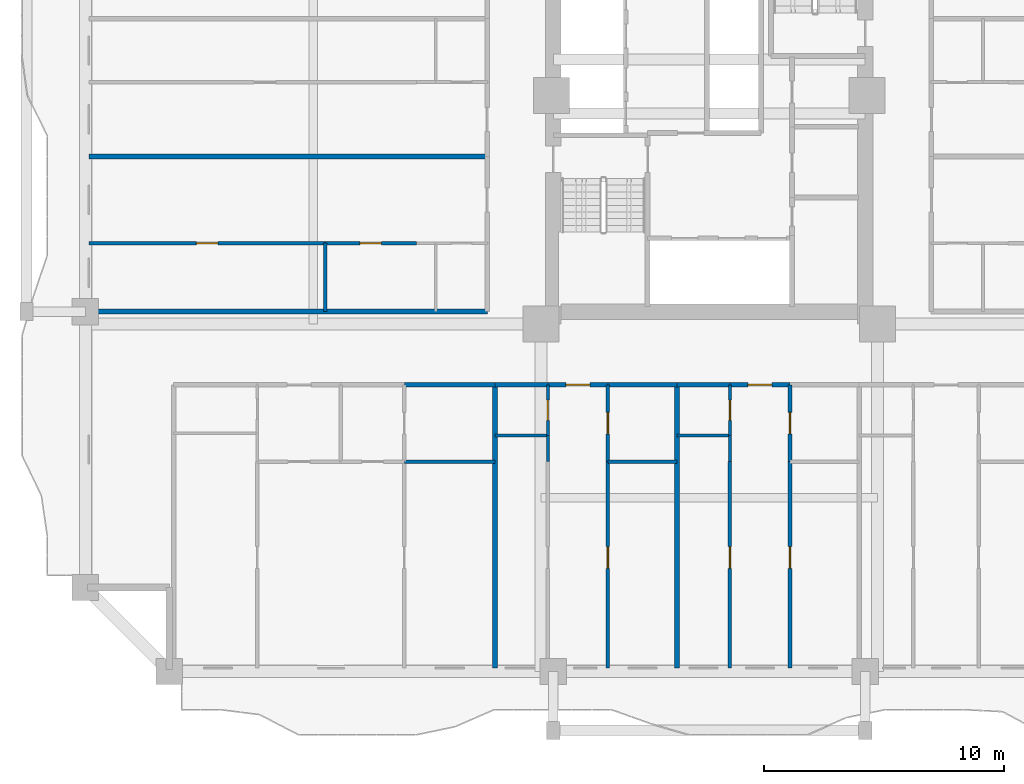
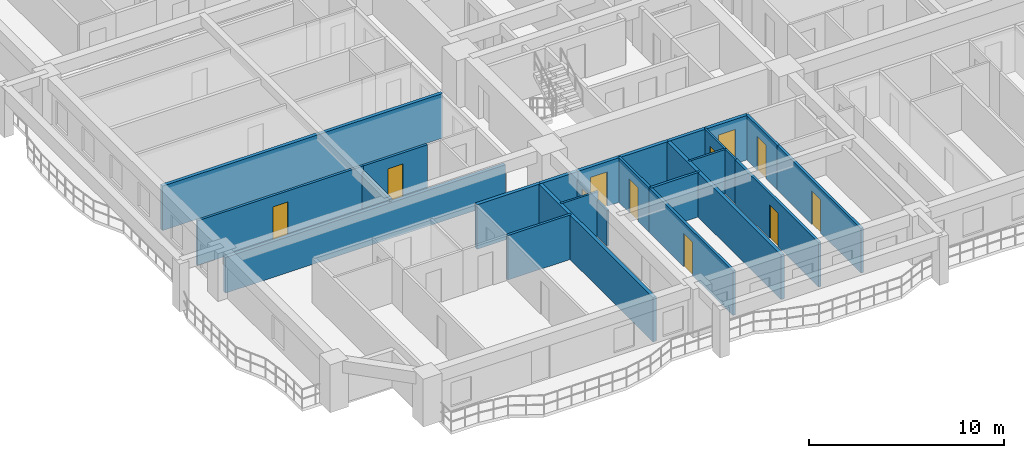
# One storey, part 3 of 16: 26 walls, 11 doors, 11 openings.
"""IFC4 building model written with IfcOpenShell, lengths in metres."""

from ifc_helpers import new_model, si_unit, direction, frame, frame_2d, origin, place, context, subcontext, project, spatial, rectangle, extrude, source, transform, mapped, material, layer, layer_set, type_object, element, fill, save


model = new_model("IFC4")

# Units and contexts
model_context = context("Model", 3, precision=1e-05, world=origin(), true_north=direction((0.0, 1.0)))
body_context = subcontext(model_context, "Body", "Model", "MODEL_VIEW")
ifc_project = project(units=[si_unit("LENGTHUNIT", "METRE"), si_unit("AREAUNIT", "SQUARE_METRE"), si_unit("VOLUMEUNIT", "CUBIC_METRE"), si_unit("PLANEANGLEUNIT", "RADIAN"), si_unit("MASSUNIT", "GRAM", prefix="KILO")], contexts=[model_context])

# Site, building, storey
site_placement = place(None, origin())
site = spatial("IfcSite", under=ifc_project, at=site_placement, CompositionType="ELEMENT")
building_placement = place(site_placement, origin())
building = spatial("IfcBuilding", under=site, at=building_placement, Name="Saelheon Loggia Tower", CompositionType="ELEMENT")
storey_placement = place(building_placement, frame((0.0, 0.0, 58.39990234375)))
storey = spatial("IfcBuildingStorey", under=building, at=storey_placement, Name="L18", CompositionType="ELEMENT", Elevation=58.39990234375)

# Walls
ifc_material_1 = material(Name="Lightweight Autoclaved Aerated Concrete Block and Acoustic Gypsum", Category="concrete")
ifc_layer_1 = layer(ifc_material_1, 0.14990234375)
ifc_layer_set_1 = layer_set([ifc_layer_1], Name="Lightweight Autoclaved Aerated Concrete Block and Acoustic Gypsum")
wall_type_1 = type_object("IfcWallType", Name="Wall_Part_150", PredefinedType="PARTITIONING", material=ifc_layer_set_1)
wall_1_placement = place(storey_placement, frame((25.29296875, 11.75, 0.0), z_axis=(0.0, 0.0, 1.0), x_axis=(1.0, 0.0, 0.0)))
element("IfcWall", 1, at=wall_1_placement, inside=storey, type_object=wall_type_1, Name="L18 S Partition V11", PredefinedType="PARTITIONING", context=body_context, shape_type="SweptSolid", body=[
    extrude(rectangle(XDim=3.779052734375, YDim=0.14990234375, at=frame_2d((1.8896484375, 0.0))), origin(), (0.0, 0.0, 1.0), 2.7900390625),
])
wall_2_placement = place(storey_placement, frame((33.777099609375, 11.75, 0.0), z_axis=(0.0, 0.0, 1.0), x_axis=(1.0, 0.0, 0.0)))
element("IfcWall", 2, at=wall_2_placement, inside=storey, type_object=wall_type_1, Name="L18 S Partition V22", PredefinedType="PARTITIONING", context=body_context, shape_type="SweptSolid", body=[
    extrude(rectangle(XDim=2.8837890625, YDim=0.14990234375, at=frame_2d((1.44189453125, 0.0))), origin(), (0.0, 0.0, 1.0), 2.7900390625),
])

# Wall, opening, door
wall_3_placement = place(storey_placement, frame((33.777099609375, 14.949951171875, 0.0), z_axis=(0.0, 0.0, 1.0), x_axis=(0.0, -1.0, 0.0)))
wall_3 = element("IfcWall", 3, at=wall_3_placement, inside=storey, type_object=wall_type_1, Name="L18 S Partition U26", PredefinedType="PARTITIONING", context=body_context, shape_type="SweptSolid", body=[
    extrude(rectangle(XDim=3.199951171875, YDim=0.14990234375, at=frame_2d((1.60009765625, 0.0))), origin(), (0.0, 0.0, 1.0), 2.7900390625),
])
opening_1_placement = place(wall_3_placement, frame((1.14990234375, 0.0, 0.0)))
opening_1 = element("IfcOpeningElement", 4, at=opening_1_placement, cuts=wall_3, Name="Opening D-IN2", PredefinedType="OPENING", context=body_context, shape_type="SweptSolid", body=[
    extrude(rectangle(XDim=0.89990234375, YDim=2.10009765625, at=frame_2d((0.449951171875, 1.050048828125))), frame((0.0, 0.0869140625, 0.0), z_axis=(0.0, -1.0, 0.0), x_axis=(1.0, 0.0, 0.0)), (0.0, 0.0, 1.0), 0.173828125),
])
ifc_material_2 = material(Name="Engineered Oak Flush Door", Category="timber")
door_type_1 = type_object("IfcDoorType", Name="Door_Int_900", OperationType="NOTDEFINED", PredefinedType="DOOR", material=ifc_material_2)
shared_shape_1 = source(origin(), body_context, "Body", "SweptSolid", [
    extrude(rectangle(XDim=0.89990234375, YDim=2.10009765625, at=frame_2d((0.449951171875, 1.050048828125))), frame((0.0, 0.02490234375, 0.0), z_axis=(0.0, -1.0, 0.0), x_axis=(1.0, 0.0, 0.0)), (0.0, 0.0, 1.0), 0.050048828125),
])
door_1_placement = place(opening_1_placement, origin())
door_1 = element("IfcDoor", 5, at=door_1_placement, inside=storey, type_object=door_type_1, Name="Unit U02 Dressing Closet Door", OperationType="SINGLE_SWING_RIGHT", OverallHeight=2.10009765625, OverallWidth=0.89990234375, PredefinedType="DOOR", context=body_context, shape_type="MappedRepresentation", body=[
    mapped(shared_shape_1, transform((0.0, 0.0, 0.0), scale=1.0)),
])
fill(opening_1, door_1)

wall_4_placement = place(storey_placement, frame((33.777099609375, 11.75, 0.0), z_axis=(0.0, 0.0, 1.0), x_axis=(0.0, -1.0, 0.0)))
wall_4 = element("IfcWall", 6, at=wall_4_placement, inside=storey, type_object=wall_type_1, Name="L18 S Partition U27", PredefinedType="PARTITIONING", context=body_context, shape_type="SweptSolid", body=[
    extrude(rectangle(XDim=8.60009765625, YDim=0.14990234375, at=frame_2d((4.300048828125, 0.0))), origin(), (0.0, 0.0, 1.0), 2.7900390625),
])
opening_2_placement = place(wall_4_placement, frame((3.54931640625, 0.0, 0.0)))
opening_2 = element("IfcOpeningElement", 7, at=opening_2_placement, cuts=wall_4, Name="Opening D-IN2", PredefinedType="OPENING", context=body_context, shape_type="SweptSolid", body=[
    extrude(rectangle(XDim=0.89990234375, YDim=2.10009765625, at=frame_2d((0.449951171875, 1.050048828125))), frame((0.0, 0.0869140625, 0.0), z_axis=(0.0, -1.0, 0.0), x_axis=(1.0, 0.0, 0.0)), (0.0, 0.0, 1.0), 0.173828125),
])
door_2_placement = place(opening_2_placement, origin())
door_2 = element("IfcDoor", 8, at=door_2_placement, inside=storey, type_object=door_type_1, Name="Unit U02 Bedroom 1 Door", OperationType="SINGLE_SWING_LEFT", OverallHeight=2.10009765625, OverallWidth=0.89990234375, PredefinedType="DOOR", context=body_context, shape_type="MappedRepresentation", body=[
    mapped(shared_shape_1, transform((0.0, 0.0, 0.0), scale=1.0)),
])
fill(opening_2, door_2)

wall_5_placement = place(storey_placement, frame((38.86083984375, 11.75, 0.0), z_axis=(0.0, 0.0, 1.0), x_axis=(0.0, -1.0, 0.0)))
wall_5 = element("IfcWall", 9, at=wall_5_placement, inside=storey, type_object=wall_type_1, Name="L18 S Partition U36", PredefinedType="PARTITIONING", context=body_context, shape_type="SweptSolid", body=[
    extrude(rectangle(XDim=8.60009765625, YDim=0.14990234375, at=frame_2d((4.300048828125, 0.0))), origin(), (0.0, 0.0, 1.0), 2.7900390625),
])
opening_3_placement = place(wall_5_placement, frame((3.54931640625, 0.0, 0.0)))
opening_3 = element("IfcOpeningElement", 10, at=opening_3_placement, cuts=wall_5, Name="Opening D-IN2", PredefinedType="OPENING", context=body_context, shape_type="SweptSolid", body=[
    extrude(rectangle(XDim=0.89990234375, YDim=2.10009765625, at=frame_2d((0.449951171875, 1.050048828125))), frame((0.0, 0.0869140625, 0.0), z_axis=(0.0, -1.0, 0.0), x_axis=(1.0, 0.0, 0.0)), (0.0, 0.0, 1.0), 0.173828125),
])
door_3_placement = place(opening_3_placement, origin())
door_3 = element("IfcDoor", 11, at=door_3_placement, inside=storey, type_object=door_type_1, Name="Unit U03 Kitchen Door", OperationType="SINGLE_SWING_RIGHT", OverallHeight=2.10009765625, OverallWidth=0.89990234375, PredefinedType="DOOR", context=body_context, shape_type="MappedRepresentation", body=[
    mapped(shared_shape_1, transform((0.0, 0.0, 0.0), scale=1.0)),
])
fill(opening_3, door_3)

wall_6_placement = place(storey_placement, frame((41.365966796875, 14.949951171875, 0.0), z_axis=(0.0, 0.0, 1.0), x_axis=(0.0, -1.0, 0.0)))
wall_6 = element("IfcWall", 12, at=wall_6_placement, inside=storey, type_object=wall_type_1, Name="L18 S Partition U37", PredefinedType="PARTITIONING", context=body_context, shape_type="SweptSolid", body=[
    extrude(rectangle(XDim=3.199951171875, YDim=0.14990234375, at=frame_2d((1.60009765625, 0.0))), origin(), (0.0, 0.0, 1.0), 2.7900390625),
])
opening_4_placement = place(wall_6_placement, frame((1.14990234375, 0.0, 0.0)))
opening_4 = element("IfcOpeningElement", 13, at=opening_4_placement, cuts=wall_6, Name="Opening D-IN2", PredefinedType="OPENING", context=body_context, shape_type="SweptSolid", body=[
    extrude(rectangle(XDim=0.89990234375, YDim=2.10009765625, at=frame_2d((0.449951171875, 1.050048828125))), frame((0.0, 0.0869140625, 0.0), z_axis=(0.0, -1.0, 0.0), x_axis=(1.0, 0.0, 0.0)), (0.0, 0.0, 1.0), 0.173828125),
])
door_4_placement = place(opening_4_placement, origin())
door_4 = element("IfcDoor", 14, at=door_4_placement, inside=storey, type_object=door_type_1, Name="Unit U03 Dressing Closet Door", OperationType="SINGLE_SWING_LEFT", OverallHeight=2.10009765625, OverallWidth=0.89990234375, PredefinedType="DOOR", context=body_context, shape_type="MappedRepresentation", body=[
    mapped(shared_shape_1, transform((0.0, 0.0, 0.0), scale=1.0)),
])
fill(opening_4, door_4)

wall_7_placement = place(storey_placement, frame((41.365966796875, 11.75, 0.0), z_axis=(0.0, 0.0, 1.0), x_axis=(0.0, -1.0, 0.0)))
wall_7 = element("IfcWall", 15, at=wall_7_placement, inside=storey, type_object=wall_type_1, Name="L18 S Partition U38", PredefinedType="PARTITIONING", context=body_context, shape_type="SweptSolid", body=[
    extrude(rectangle(XDim=8.60009765625, YDim=0.14990234375, at=frame_2d((4.300048828125, 0.0))), origin(), (0.0, 0.0, 1.0), 2.7900390625),
])
opening_5_placement = place(wall_7_placement, frame((3.54931640625, 0.0, 0.0)))
opening_5 = element("IfcOpeningElement", 16, at=opening_5_placement, cuts=wall_7, Name="Opening D-IN2", PredefinedType="OPENING", context=body_context, shape_type="SweptSolid", body=[
    extrude(rectangle(XDim=0.89990234375, YDim=2.10009765625, at=frame_2d((0.449951171875, 1.050048828125))), frame((0.0, 0.0869140625, 0.0), z_axis=(0.0, -1.0, 0.0), x_axis=(1.0, 0.0, 0.0)), (0.0, 0.0, 1.0), 0.173828125),
])
door_5_placement = place(opening_5_placement, origin())
door_5 = element("IfcDoor", 17, at=door_5_placement, inside=storey, type_object=door_type_1, Name="Unit U03 Bedroom 1 Door", OperationType="SINGLE_SWING_RIGHT", OverallHeight=2.10009765625, OverallWidth=0.89990234375, PredefinedType="DOOR", context=body_context, shape_type="MappedRepresentation", body=[
    mapped(shared_shape_1, transform((0.0, 0.0, 0.0), scale=1.0)),
])
fill(opening_5, door_5)

# Wall
wall_8_placement = place(storey_placement, frame((21.989990234375, 18.0, 0.0), z_axis=(0.0, 0.0, 1.0), x_axis=(0.0, 1.0, 0.0)))
element("IfcWall", 18, at=wall_8_placement, inside=storey, type_object=wall_type_1, Name="L18 W Partition V08", PredefinedType="PARTITIONING", context=body_context, shape_type="SweptSolid", body=[
    extrude(rectangle(XDim=2.85009765625, YDim=0.14990234375, at=frame_2d((1.425048828125, 0.0))), origin(), (0.0, 0.0, 1.0), 2.440185546875),
])

# Wall, opening, door
wall_9_placement = place(storey_placement, frame((25.7900390625, 20.85009765625, 0.0), z_axis=(0.0, 0.0, 1.0), x_axis=(-1.0, 0.0, 0.0)))
wall_9 = element("IfcWall", 19, at=wall_9_placement, inside=storey, type_object=wall_type_1, Name="L18 W Partition U09", PredefinedType="PARTITIONING", context=body_context, shape_type="SweptSolid", body=[
    extrude(rectangle(XDim=3.800048828125, YDim=0.14990234375, at=frame_2d((1.89990234375, 0.0))), origin(), (0.0, 0.0, 1.0), 2.7900390625),
])
opening_6_placement = place(wall_9_placement, frame((1.449951171875, 0.0, 0.0)))
opening_6 = element("IfcOpeningElement", 20, at=opening_6_placement, cuts=wall_9, Name="Opening D-IN2", PredefinedType="OPENING", context=body_context, shape_type="SweptSolid", body=[
    extrude(rectangle(XDim=0.89990234375, YDim=2.10009765625, at=frame_2d((0.449951171875, 1.050048828125))), frame((0.0, 0.0869140625, 0.0), z_axis=(0.0, -1.0, 0.0), x_axis=(1.0, 0.0, 0.0)), (0.0, 0.0, 1.0), 0.173828125),
])
door_6_placement = place(opening_6_placement, origin())
door_6 = element("IfcDoor", 21, at=door_6_placement, inside=storey, type_object=door_type_1, Name="Unit U10 Kitchen Door", OperationType="SINGLE_SWING_RIGHT", OverallHeight=2.10009765625, OverallWidth=0.89990234375, PredefinedType="DOOR", context=body_context, shape_type="MappedRepresentation", body=[
    mapped(shared_shape_1, transform((0.0, 0.0, 0.0), scale=1.0)),
])
fill(opening_6, door_6)

wall_10_placement = place(storey_placement, frame((21.989990234375, 20.85009765625, 0.0), z_axis=(0.0, 0.0, 1.0), x_axis=(-1.0, 0.0, 0.0)))
wall_10 = element("IfcWall", 22, at=wall_10_placement, inside=storey, type_object=wall_type_1, Name="L18 W Partition U10", PredefinedType="PARTITIONING", context=body_context, shape_type="SweptSolid", body=[
    extrude(rectangle(XDim=9.840087890625, YDim=0.14990234375, at=frame_2d((4.919921875, 0.0))), origin(), (0.0, 0.0, 1.0), 2.7900390625),
])
opening_7_placement = place(wall_10_placement, frame((4.469970703125, 0.0, 0.0)))
opening_7 = element("IfcOpeningElement", 23, at=opening_7_placement, cuts=wall_10, Name="Opening D-IN2", PredefinedType="OPENING", context=body_context, shape_type="SweptSolid", body=[
    extrude(rectangle(XDim=0.89990234375, YDim=2.10009765625, at=frame_2d((0.449951171875, 1.050048828125))), frame((0.0, 0.0869140625, 0.0), z_axis=(0.0, -1.0, 0.0), x_axis=(1.0, 0.0, 0.0)), (0.0, 0.0, 1.0), 0.173828125),
])
door_7_placement = place(opening_7_placement, origin())
door_7 = element("IfcDoor", 24, at=door_7_placement, inside=storey, type_object=door_type_1, Name="Unit U10 Bedroom 1 Door", OperationType="SINGLE_SWING_LEFT", OverallHeight=2.10009765625, OverallWidth=0.89990234375, PredefinedType="DOOR", context=body_context, shape_type="MappedRepresentation", body=[
    mapped(shared_shape_1, transform((0.0, 0.0, 0.0), scale=1.0)),
])
fill(opening_7, door_7)

# Walls
ifc_material_3 = material(Name="Double Acoustic Stud and Fireboard Partition", Category="gypsum")
ifc_layer_2 = layer(ifc_material_3, 0.199951171875)
ifc_layer_set_2 = layer_set([ifc_layer_2], Name="Double Acoustic Stud and Fireboard Partition")
wall_type_2 = type_object("IfcWallType", Name="Wall_Party_200", PredefinedType="PARTITIONING", material=ifc_layer_set_2)
wall_11_placement = place(storey_placement, frame((25.29296875, 14.949951171875, 0.0), z_axis=(0.0, 0.0, 1.0), x_axis=(1.0, 0.0, 0.0)))
element("IfcWall", 25, at=wall_11_placement, inside=storey, type_object=wall_type_2, Name="L18 S Partition V09", PredefinedType="PARTITIONING", context=body_context, shape_type="SweptSolid", body=[
    extrude(rectangle(XDim=3.779052734375, YDim=0.199951171875, at=frame_2d((1.8896484375, 0.0))), origin(), (0.0, 0.0, 1.0), 2.7900390625),
])
wall_12_placement = place(storey_placement, frame((29.072021484375, 14.949951171875, 0.0), z_axis=(0.0, 0.0, 1.0), x_axis=(0.0, -1.0, 0.0)))
element("IfcWall", 26, at=wall_12_placement, inside=storey, type_object=wall_type_2, Name="L18 S Partition U17", PredefinedType="PARTITIONING", context=body_context, shape_type="SweptSolid", body=[
    extrude(rectangle(XDim=11.800048828125, YDim=0.199951171875, at=frame_2d((5.89990234375, 0.0))), origin(), (0.0, 0.0, 1.0), 2.7900390625),
])
wall_13_placement = place(storey_placement, frame((29.072021484375, 14.949951171875, 0.0), z_axis=(0.0, 0.0, 1.0), x_axis=(1.0, 0.0, 0.0)))
element("IfcWall", 27, at=wall_13_placement, inside=storey, type_object=wall_type_2, Name="L18 S Partition V18", PredefinedType="PARTITIONING", context=body_context, shape_type="SweptSolid", body=[
    extrude(rectangle(XDim=2.199951171875, YDim=0.199951171875, at=frame_2d((1.10009765625, 0.0))), origin(), (0.0, 0.0, 1.0), 2.7900390625),
])

# Wall, opening, door
wall_14_placement = place(storey_placement, frame((31.27197265625, 14.949951171875, 0.0), z_axis=(0.0, 0.0, 1.0), x_axis=(1.0, 0.0, 0.0)))
wall_14 = element("IfcWall", 28, at=wall_14_placement, inside=storey, type_object=wall_type_2, Name="L18 S Partition V19", PredefinedType="PARTITIONING", context=body_context, shape_type="SweptSolid", body=[
    extrude(rectangle(XDim=2.505126953125, YDim=0.199951171875, at=frame_2d((1.25244140625, 0.0))), origin(), (0.0, 0.0, 1.0), 2.7900390625),
])
opening_8_placement = place(wall_14_placement, frame((0.75244140625, 0.0, 0.0)))
opening_8 = element("IfcOpeningElement", 29, at=opening_8_placement, cuts=wall_14, Name="Opening D-FD1", PredefinedType="OPENING", context=body_context, shape_type="SweptSolid", body=[
    extrude(rectangle(XDim=1.0, YDim=2.14990234375, at=frame_2d((0.5, 1.074951171875))), frame((0.0, 0.112060546875, 0.0), z_axis=(0.0, -1.0, 0.0), x_axis=(1.0, 0.0, 0.0)), (0.0, 0.0, 1.0), 0.223876953125),
])
ifc_material_4 = material(Name="Fire-Rated Engineered Timber Entrance Door", Category="wood")
door_type_2 = type_object("IfcDoorType", Name="Door_Flat_FD30S", OperationType="NOTDEFINED", PredefinedType="DOOR", material=ifc_material_4)
shared_shape_2 = source(origin(), body_context, "Body", "SweptSolid", [
    extrude(rectangle(XDim=1.0, YDim=2.14990234375, at=frame_2d((0.5, 1.074951171875))), frame((0.0, 0.02490234375, 0.0), z_axis=(0.0, -1.0, 0.0), x_axis=(1.0, 0.0, 0.0)), (0.0, 0.0, 1.0), 0.050048828125),
])
door_8_placement = place(opening_8_placement, origin())
door_8 = element("IfcDoor", 30, at=door_8_placement, inside=storey, type_object=door_type_2, Name="Unit U02 Entrance Door", OperationType="SINGLE_SWING_LEFT", OverallHeight=2.14990234375, OverallWidth=1.0, PredefinedType="DOOR", context=body_context, shape_type="MappedRepresentation", body=[
    mapped(shared_shape_2, transform((0.0, 0.0, 0.0), scale=1.0)),
])
fill(opening_8, door_8)

# Walls
wall_15_placement = place(storey_placement, frame((33.777099609375, 14.949951171875, 0.0), z_axis=(0.0, 0.0, 1.0), x_axis=(1.0, 0.0, 0.0)))
element("IfcWall", 31, at=wall_15_placement, inside=storey, type_object=wall_type_2, Name="L18 S Partition V20", PredefinedType="PARTITIONING", context=body_context, shape_type="SweptSolid", body=[
    extrude(rectangle(XDim=2.8837890625, YDim=0.199951171875, at=frame_2d((1.44189453125, 0.0))), origin(), (0.0, 0.0, 1.0), 2.7900390625),
])
wall_16_placement = place(storey_placement, frame((36.660888671875, 14.949951171875, 0.0), z_axis=(0.0, 0.0, 1.0), x_axis=(0.0, -1.0, 0.0)))
element("IfcWall", 32, at=wall_16_placement, inside=storey, type_object=wall_type_2, Name="L18 S Partition U28", PredefinedType="PARTITIONING", context=body_context, shape_type="SweptSolid", body=[
    extrude(rectangle(XDim=11.800048828125, YDim=0.199951171875, at=frame_2d((5.89990234375, 0.0))), origin(), (0.0, 0.0, 1.0), 2.7900390625),
])
wall_17_placement = place(storey_placement, frame((36.660888671875, 14.949951171875, 0.0), z_axis=(0.0, 0.0, 1.0), x_axis=(1.0, 0.0, 0.0)))
element("IfcWall", 33, at=wall_17_placement, inside=storey, type_object=wall_type_2, Name="L18 S Partition V29", PredefinedType="PARTITIONING", context=body_context, shape_type="SweptSolid", body=[
    extrude(rectangle(XDim=2.199951171875, YDim=0.199951171875, at=frame_2d((1.10009765625, 0.0))), origin(), (0.0, 0.0, 1.0), 2.7900390625),
])

# Wall, opening, door
wall_18_placement = place(storey_placement, frame((38.86083984375, 14.949951171875, 0.0), z_axis=(0.0, 0.0, 1.0), x_axis=(1.0, 0.0, 0.0)))
wall_18 = element("IfcWall", 34, at=wall_18_placement, inside=storey, type_object=wall_type_2, Name="L18 S Partition V30", PredefinedType="PARTITIONING", context=body_context, shape_type="SweptSolid", body=[
    extrude(rectangle(XDim=2.505126953125, YDim=0.199951171875, at=frame_2d((1.25244140625, 0.0))), origin(), (0.0, 0.0, 1.0), 2.7900390625),
])
opening_9_placement = place(wall_18_placement, frame((0.752685546875, 0.0, 0.0)))
opening_9 = element("IfcOpeningElement", 35, at=opening_9_placement, cuts=wall_18, Name="Opening D-FD1", PredefinedType="OPENING", context=body_context, shape_type="SweptSolid", body=[
    extrude(rectangle(XDim=1.0, YDim=2.14990234375, at=frame_2d((0.5, 1.074951171875))), frame((0.0, 0.112060546875, 0.0), z_axis=(0.0, -1.0, 0.0), x_axis=(1.0, 0.0, 0.0)), (0.0, 0.0, 1.0), 0.223876953125),
])
door_9_placement = place(opening_9_placement, origin())
door_9 = element("IfcDoor", 36, at=door_9_placement, inside=storey, type_object=door_type_2, Name="Unit U03 Entrance Door", OperationType="SINGLE_SWING_RIGHT", OverallHeight=2.14990234375, OverallWidth=1.0, PredefinedType="DOOR", context=body_context, shape_type="MappedRepresentation", body=[
    mapped(shared_shape_2, transform((0.0, 0.0, 0.0), scale=1.0)),
])
fill(opening_9, door_9)

# Walls
wall_19_placement = place(storey_placement, frame((28.75, 18.0, 0.0), z_axis=(0.0, 0.0, 1.0), x_axis=(-1.0, 0.0, 0.0)))
element("IfcWall", 37, at=wall_19_placement, inside=storey, type_object=wall_type_2, Name="L18 W Partition U01", PredefinedType="PARTITIONING", context=body_context, shape_type="SweptSolid", body=[
    extrude(rectangle(XDim=16.60009765625, YDim=0.199951171875, at=frame_2d((8.300048828125, 0.0))), origin(), (0.0, 0.0, 1.0), 2.239990234375),
])
wall_20_placement = place(storey_placement, frame((28.75, 24.4619140625, 0.0), z_axis=(0.0, 0.0, 1.0), x_axis=(-1.0, 0.0, 0.0)))
element("IfcWall", 38, at=wall_20_placement, inside=storey, type_object=wall_type_2, Name="L18 W Partition U11", PredefinedType="PARTITIONING", context=body_context, shape_type="SweptSolid", body=[
    extrude(rectangle(XDim=16.60009765625, YDim=0.199951171875, at=frame_2d((8.300048828125, 0.0))), origin(), (0.0, 0.0, 1.0), 2.7900390625),
])
ifc_material_5 = material(Name="Moisture-Resistant Cement Board Partition", Category="gypsum")
ifc_layer_3 = layer(ifc_material_5, 0.1201171875)
ifc_layer_set_3 = layer_set([ifc_layer_3], Name="Moisture-Resistant Cement Board Partition")
wall_type_3 = type_object("IfcWallType", Name="Wall_WetPart_120", PredefinedType="PARTITIONING", material=ifc_layer_set_3)
wall_21_placement = place(storey_placement, frame((29.072021484375, 12.830078125, 0.0), z_axis=(0.0, 0.0, 1.0), x_axis=(1.0, 0.0, 0.0)))
element("IfcWall", 39, at=wall_21_placement, inside=storey, type_object=wall_type_3, Name="L18 S Partition V21", PredefinedType="PARTITIONING", context=body_context, shape_type="SweptSolid", body=[
    extrude(rectangle(XDim=2.199951171875, YDim=0.1201171875, at=frame_2d((1.10009765625, 0.0))), origin(), (0.0, 0.0, 1.0), 2.7900390625),
])

# Wall, opening, door
wall_22_placement = place(storey_placement, frame((31.27197265625, 14.949951171875, 0.0), z_axis=(0.0, 0.0, 1.0), x_axis=(0.0, -1.0, 0.0)))
wall_22 = element("IfcWall", 40, at=wall_22_placement, inside=storey, type_object=wall_type_3, Name="L18 S Partition U23", PredefinedType="PARTITIONING", context=body_context, shape_type="SweptSolid", body=[
    extrude(rectangle(XDim=2.119873046875, YDim=0.1201171875, at=frame_2d((1.06005859375, 0.0))), origin(), (0.0, 0.0, 1.0), 2.239990234375),
])
opening_10_placement = place(wall_22_placement, frame((0.635009765625, 0.0, 0.0)))
opening_10 = element("IfcOpeningElement", 41, at=opening_10_placement, cuts=wall_22, Name="Opening D-BT1", PredefinedType="OPENING", context=body_context, shape_type="SweptSolid", body=[
    extrude(rectangle(XDim=0.85009765625, YDim=2.050048828125, at=frame_2d((0.425048828125, 1.02490234375))), frame((0.0, 0.072021484375, 0.0), z_axis=(0.0, -1.0, 0.0), x_axis=(1.0, 0.0, 0.0)), (0.0, 0.0, 1.0), 0.14404296875),
])
ifc_material_6 = material(Name="Moisture-Resistant Laminate Timber Door", Category="wood")
door_type_3 = type_object("IfcDoorType", Name="Door_Bath_850", OperationType="NOTDEFINED", PredefinedType="DOOR", material=ifc_material_6)
shared_shape_3 = source(origin(), body_context, "Body", "SweptSolid", [
    extrude(rectangle(XDim=0.85009765625, YDim=2.050048828125, at=frame_2d((0.425048828125, 1.02490234375))), frame((0.0, 0.02490234375, 0.0), z_axis=(0.0, -1.0, 0.0), x_axis=(1.0, 0.0, 0.0)), (0.0, 0.0, 1.0), 0.050048828125),
])
door_10_placement = place(opening_10_placement, origin())
door_10 = element("IfcDoor", 42, at=door_10_placement, inside=storey, type_object=door_type_3, Name="Unit U02 Bathroom Door", OperationType="SINGLE_SWING_RIGHT", OverallHeight=2.050048828125, OverallWidth=0.85009765625, PredefinedType="DOOR", context=body_context, shape_type="MappedRepresentation", body=[
    mapped(shared_shape_3, transform((0.0, 0.0, 0.0), scale=1.0)),
])
fill(opening_10, door_10)

# Walls
wall_23_placement = place(storey_placement, frame((31.27197265625, 12.830078125, 0.0), z_axis=(0.0, 0.0, 1.0), x_axis=(0.0, -1.0, 0.0)))
element("IfcWall", 43, at=wall_23_placement, inside=storey, type_object=wall_type_3, Name="L18 S Partition U24", PredefinedType="PARTITIONING", context=body_context, shape_type="SweptSolid", body=[
    extrude(rectangle(XDim=1.080078125, YDim=0.1201171875, at=frame_2d((0.5400390625, 0.0))), origin(), (0.0, 0.0, 1.0), 2.239990234375),
])
wall_24_placement = place(storey_placement, frame((36.660888671875, 12.830078125, 0.0), z_axis=(0.0, 0.0, 1.0), x_axis=(1.0, 0.0, 0.0)))
element("IfcWall", 44, at=wall_24_placement, inside=storey, type_object=wall_type_3, Name="L18 S Partition V32", PredefinedType="PARTITIONING", context=body_context, shape_type="SweptSolid", body=[
    extrude(rectangle(XDim=2.199951171875, YDim=0.1201171875, at=frame_2d((1.10009765625, 0.0))), origin(), (0.0, 0.0, 1.0), 2.7900390625),
])

# Wall, opening, door
wall_25_placement = place(storey_placement, frame((38.86083984375, 14.949951171875, 0.0), z_axis=(0.0, 0.0, 1.0), x_axis=(0.0, -1.0, 0.0)))
wall_25 = element("IfcWall", 45, at=wall_25_placement, inside=storey, type_object=wall_type_3, Name="L18 S Partition U34", PredefinedType="PARTITIONING", context=body_context, shape_type="SweptSolid", body=[
    extrude(rectangle(XDim=2.119873046875, YDim=0.1201171875, at=frame_2d((1.06005859375, 0.0))), origin(), (0.0, 0.0, 1.0), 2.7900390625),
])
opening_11_placement = place(wall_25_placement, frame((0.635009765625, 0.0, 0.0)))
opening_11 = element("IfcOpeningElement", 46, at=opening_11_placement, cuts=wall_25, Name="Opening D-BT1", PredefinedType="OPENING", context=body_context, shape_type="SweptSolid", body=[
    extrude(rectangle(XDim=0.85009765625, YDim=2.050048828125, at=frame_2d((0.425048828125, 1.02490234375))), frame((0.0, 0.072021484375, 0.0), z_axis=(0.0, -1.0, 0.0), x_axis=(1.0, 0.0, 0.0)), (0.0, 0.0, 1.0), 0.14404296875),
])
door_11_placement = place(opening_11_placement, origin())
door_11 = element("IfcDoor", 47, at=door_11_placement, inside=storey, type_object=door_type_3, Name="Unit U03 Bathroom Door", OperationType="SINGLE_SWING_LEFT", OverallHeight=2.050048828125, OverallWidth=0.85009765625, PredefinedType="DOOR", context=body_context, shape_type="MappedRepresentation", body=[
    mapped(shared_shape_3, transform((0.0, 0.0, 0.0), scale=1.0)),
])
fill(opening_11, door_11)

# Wall
wall_26_placement = place(storey_placement, frame((38.86083984375, 12.830078125, 0.0), z_axis=(0.0, 0.0, 1.0), x_axis=(0.0, -1.0, 0.0)))
element("IfcWall", 48, at=wall_26_placement, inside=storey, type_object=wall_type_3, Name="L18 S Partition U35", PredefinedType="PARTITIONING", context=body_context, shape_type="SweptSolid", body=[
    extrude(rectangle(XDim=1.080078125, YDim=0.1201171875, at=frame_2d((0.5400390625, 0.0))), origin(), (0.0, 0.0, 1.0), 2.7900390625),
])

save(model, "model.ifc")
